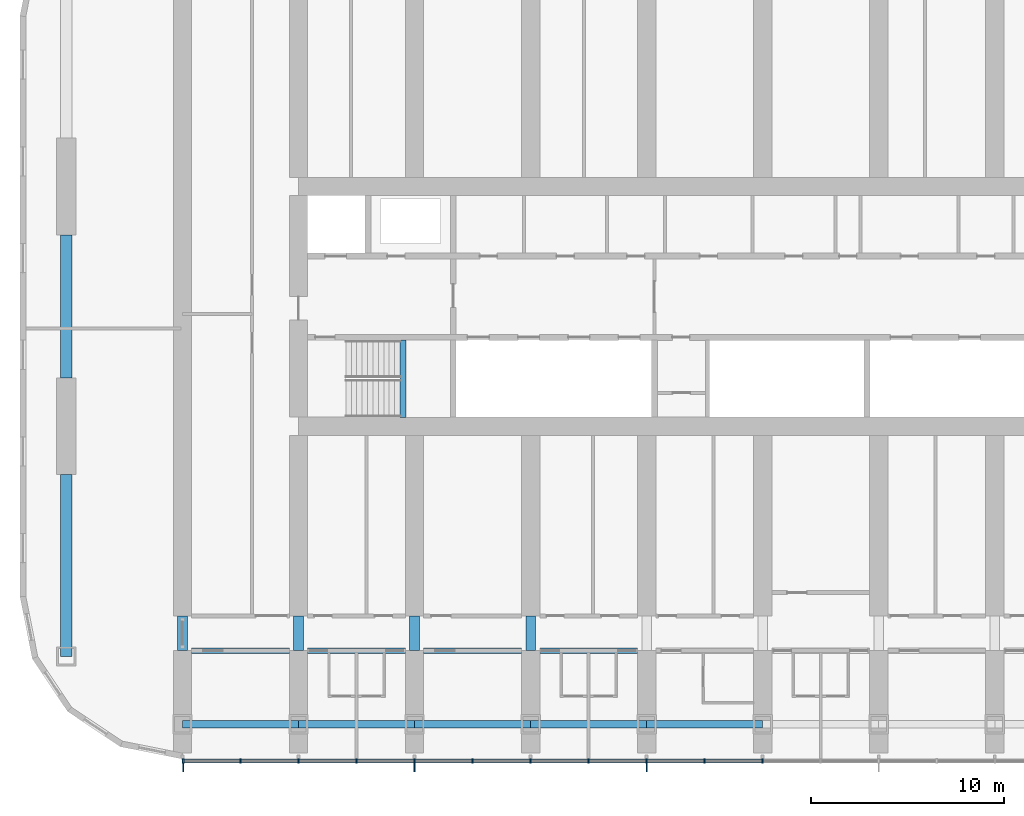
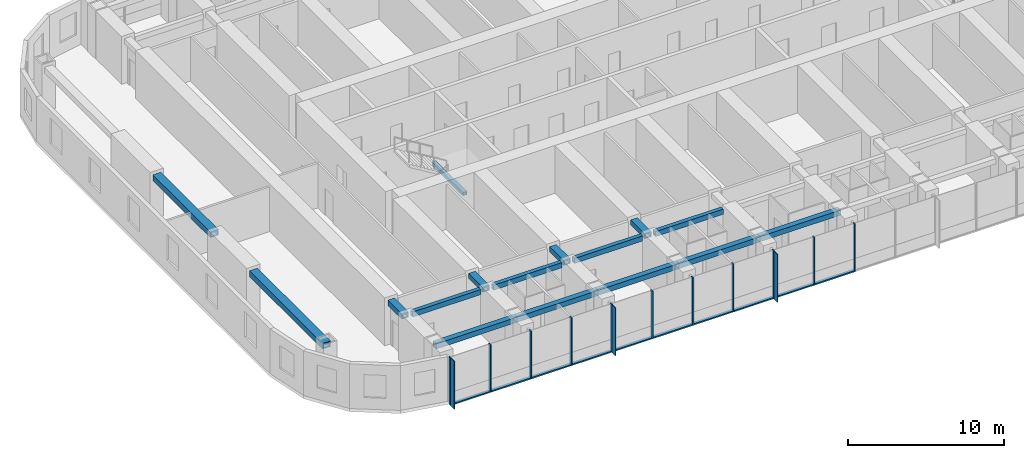
# One storey, part 2 of 21: 24 members, 16 beams, 1 element without a shape of its own.
"""IFC4 building model written with IfcOpenShell, lengths in metres."""

from ifc_helpers import new_model, si_unit, direction, frame, origin, origin_2d, place, context, subcontext, project, spatial, rectangle, hollow_rectangle, extrude, material, material_profile, profile_set, type_object, element, aggregate, save


model = new_model("IFC4")

# Units and contexts
model_context = context("Model", 3, precision=1e-05, world=origin(), true_north=direction((0.0, 1.0)))
body_context = subcontext(model_context, "Body", "Model", "MODEL_VIEW")
ifc_project = project(units=[si_unit("LENGTHUNIT", "METRE"), si_unit("AREAUNIT", "SQUARE_METRE"), si_unit("VOLUMEUNIT", "CUBIC_METRE"), si_unit("PLANEANGLEUNIT", "RADIAN"), si_unit("MASSUNIT", "GRAM", prefix="KILO")], contexts=[model_context])

# Site, building, storey
site_placement = place(None, origin())
site = spatial("IfcSite", under=ifc_project, at=site_placement, CompositionType="ELEMENT")
building_placement = place(site_placement, origin())
building = spatial("IfcBuilding", under=site, at=building_placement, Name="Orbita Commons", CompositionType="ELEMENT")
storey_placement = place(building_placement, frame((0.0, 0.0, 91.89990234375)))
storey = spatial("IfcBuildingStorey", under=building, at=storey_placement, Name="L22", CompositionType="ELEMENT", Elevation=91.89990234375)

# Curtain wall, members
ifc_material_1 = material(Name="Anodised aluminium frame, pale silver", Category="aluminium")
curtain_wall_type = type_object("IfcCurtainWallType", Name="Unitised curtain wall CW-T, vision and spandrel", PredefinedType="NOTDEFINED", material=ifc_material_1)
curtain_wall_placement = place(storey_placement, origin())
curtain_wall = element("IfcCurtainWall", 1, at=curtain_wall_placement, inside=storey, type_object=curtain_wall_type, Name="Curtain wall south L22", PredefinedType="NOTDEFINED")
ifc_material_2 = material(Name="Anodised aluminium, pale silver", Category="aluminium")
ifc_material_profile_1 = material_profile(ifc_material_2, rectangle(XDim=0.080078125, YDim=0.219970703125, at=origin_2d()), Name="AL 80x220")
ifc_profile_set_1 = profile_set([ifc_material_profile_1], Name="Anodised aluminium, pale silver")
member_type_1 = type_object("IfcMemberType", Name="Curtain wall mullion 80x220", PredefinedType="MULLION", material=ifc_profile_set_1)
member_1_placement = place(storey_placement, frame((12.0400390625, 8.489990234375, -0.25), z_axis=(0.0, 0.0, 1.0), x_axis=(1.0, 0.0, 0.0)))
member_1 = element("IfcMember", 2, at=member_1_placement, type_object=member_type_1, Name="Mullion 1 CW-L22-S", PredefinedType="MULLION", context=body_context, shape_type="SweptSolid", body=[
    extrude(rectangle(XDim=0.080078125, YDim=0.219970703125, at=origin_2d()), origin(), (0.0, 0.0, 1.0), 3.75),
])
member_2_placement = place(storey_placement, frame((15.0, 8.489990234375, -0.25), z_axis=(0.0, 0.0, 1.0), x_axis=(1.0, 0.0, 0.0)))
member_2 = element("IfcMember", 3, at=member_2_placement, type_object=member_type_1, Name="Mullion 2 CW-L22-S", PredefinedType="MULLION", context=body_context, shape_type="SweptSolid", body=[
    extrude(rectangle(XDim=0.080078125, YDim=0.219970703125, at=origin_2d()), origin(), (0.0, 0.0, 1.0), 3.75),
])
member_3_placement = place(storey_placement, frame((18.0, 8.489990234375, -0.25), z_axis=(0.0, 0.0, 1.0), x_axis=(1.0, 0.0, 0.0)))
member_3 = element("IfcMember", 4, at=member_3_placement, type_object=member_type_1, Name="Mullion 3 CW-L22-S", PredefinedType="MULLION", context=body_context, shape_type="SweptSolid", body=[
    extrude(rectangle(XDim=0.080078125, YDim=0.219970703125, at=origin_2d()), origin(), (0.0, 0.0, 1.0), 3.75),
])
member_4_placement = place(storey_placement, frame((21.0, 8.489990234375, -0.25), z_axis=(0.0, 0.0, 1.0), x_axis=(1.0, 0.0, 0.0)))
member_4 = element("IfcMember", 5, at=member_4_placement, type_object=member_type_1, Name="Mullion 4 CW-L22-S", PredefinedType="MULLION", context=body_context, shape_type="SweptSolid", body=[
    extrude(rectangle(XDim=0.080078125, YDim=0.219970703125, at=origin_2d()), origin(), (0.0, 0.0, 1.0), 3.75),
])
member_5_placement = place(storey_placement, frame((24.0, 8.489990234375, -0.25), z_axis=(0.0, 0.0, 1.0), x_axis=(1.0, 0.0, 0.0)))
member_5 = element("IfcMember", 6, at=member_5_placement, type_object=member_type_1, Name="Mullion 5 CW-L22-S", PredefinedType="MULLION", context=body_context, shape_type="SweptSolid", body=[
    extrude(rectangle(XDim=0.080078125, YDim=0.219970703125, at=origin_2d()), origin(), (0.0, 0.0, 1.0), 3.75),
])
member_6_placement = place(storey_placement, frame((27.0, 8.489990234375, -0.25), z_axis=(0.0, 0.0, 1.0), x_axis=(1.0, 0.0, 0.0)))
member_6 = element("IfcMember", 7, at=member_6_placement, type_object=member_type_1, Name="Mullion 6 CW-L22-S", PredefinedType="MULLION", context=body_context, shape_type="SweptSolid", body=[
    extrude(rectangle(XDim=0.080078125, YDim=0.219970703125, at=origin_2d()), origin(), (0.0, 0.0, 1.0), 3.75),
])
member_7_placement = place(storey_placement, frame((30.0, 8.489990234375, -0.25), z_axis=(0.0, 0.0, 1.0), x_axis=(1.0, 0.0, 0.0)))
member_7 = element("IfcMember", 8, at=member_7_placement, type_object=member_type_1, Name="Mullion 7 CW-L22-S", PredefinedType="MULLION", context=body_context, shape_type="SweptSolid", body=[
    extrude(rectangle(XDim=0.080078125, YDim=0.219970703125, at=origin_2d()), origin(), (0.0, 0.0, 1.0), 3.75),
])
member_8_placement = place(storey_placement, frame((33.0, 8.489990234375, -0.25), z_axis=(0.0, 0.0, 1.0), x_axis=(1.0, 0.0, 0.0)))
member_8 = element("IfcMember", 9, at=member_8_placement, type_object=member_type_1, Name="Mullion 8 CW-L22-S", PredefinedType="MULLION", context=body_context, shape_type="SweptSolid", body=[
    extrude(rectangle(XDim=0.080078125, YDim=0.219970703125, at=origin_2d()), origin(), (0.0, 0.0, 1.0), 3.75),
])
member_9_placement = place(storey_placement, frame((36.0, 8.489990234375, -0.25), z_axis=(0.0, 0.0, 1.0), x_axis=(1.0, 0.0, 0.0)))
member_9 = element("IfcMember", 10, at=member_9_placement, type_object=member_type_1, Name="Mullion 9 CW-L22-S", PredefinedType="MULLION", context=body_context, shape_type="SweptSolid", body=[
    extrude(rectangle(XDim=0.080078125, YDim=0.219970703125, at=origin_2d()), origin(), (0.0, 0.0, 1.0), 3.75),
])
member_10_placement = place(storey_placement, frame((39.0, 8.489990234375, -0.25), z_axis=(0.0, 0.0, 1.0), x_axis=(1.0, 0.0, 0.0)))
member_10 = element("IfcMember", 11, at=member_10_placement, type_object=member_type_1, Name="Mullion 10 CW-L22-S", PredefinedType="MULLION", context=body_context, shape_type="SweptSolid", body=[
    extrude(rectangle(XDim=0.080078125, YDim=0.219970703125, at=origin_2d()), origin(), (0.0, 0.0, 1.0), 3.75),
])
member_11_placement = place(storey_placement, frame((42.0, 8.489990234375, -0.25), z_axis=(0.0, 0.0, 1.0), x_axis=(1.0, 0.0, 0.0)))
member_11 = element("IfcMember", 12, at=member_11_placement, type_object=member_type_1, Name="Mullion 11 CW-L22-S", PredefinedType="MULLION", context=body_context, shape_type="SweptSolid", body=[
    extrude(rectangle(XDim=0.080078125, YDim=0.219970703125, at=origin_2d()), origin(), (0.0, 0.0, 1.0), 3.75),
])
ifc_material_3 = material(Name="Anodised aluminium, pale silver", Category="aluminium")
ifc_material_profile_2 = material_profile(ifc_material_3, rectangle(XDim=0.219970703125, YDim=0.10009765625, at=origin_2d()), Name="AL 220x100")
ifc_profile_set_2 = profile_set([ifc_material_profile_2], Name="Anodised aluminium, pale silver")
member_type_2 = type_object("IfcMemberType", Name="Curtain wall stack transom 220x100", PredefinedType="USERDEFINED", material=ifc_profile_set_2)
member_12_placement = place(storey_placement, frame((12.080078125, 8.489990234375, -0.199951171875), z_axis=(1.0, 0.0, 0.0), x_axis=(0.0, 1.0, 0.0)))
member_12 = element("IfcMember", 13, at=member_12_placement, type_object=member_type_2, Name="Transom 1.1 CW-L22-S", ObjectType="TRANSOM", PredefinedType="USERDEFINED", context=body_context, shape_type="SweptSolid", body=[
    extrude(rectangle(XDim=0.219970703125, YDim=0.10009765625, at=origin_2d()), origin(), (0.0, 0.0, 1.0), 2.8798828125),
])
member_13_placement = place(storey_placement, frame((15.0400390625, 8.489990234375, -0.199951171875), z_axis=(1.0, 0.0, 0.0), x_axis=(0.0, 1.0, 0.0)))
member_13 = element("IfcMember", 14, at=member_13_placement, type_object=member_type_2, Name="Transom 2.1 CW-L22-S", ObjectType="TRANSOM", PredefinedType="USERDEFINED", context=body_context, shape_type="SweptSolid", body=[
    extrude(rectangle(XDim=0.219970703125, YDim=0.10009765625, at=origin_2d()), origin(), (0.0, 0.0, 1.0), 2.919921875),
])
member_14_placement = place(storey_placement, frame((18.0400390625, 8.489990234375, -0.199951171875), z_axis=(1.0, 0.0, 0.0), x_axis=(0.0, 1.0, 0.0)))
member_14 = element("IfcMember", 15, at=member_14_placement, type_object=member_type_2, Name="Transom 3.1 CW-L22-S", ObjectType="TRANSOM", PredefinedType="USERDEFINED", context=body_context, shape_type="SweptSolid", body=[
    extrude(rectangle(XDim=0.219970703125, YDim=0.10009765625, at=origin_2d()), origin(), (0.0, 0.0, 1.0), 2.919921875),
])
member_15_placement = place(storey_placement, frame((21.0400390625, 8.489990234375, -0.199951171875), z_axis=(1.0, 0.0, 0.0), x_axis=(0.0, 1.0, 0.0)))
member_15 = element("IfcMember", 16, at=member_15_placement, type_object=member_type_2, Name="Transom 4.1 CW-L22-S", ObjectType="TRANSOM", PredefinedType="USERDEFINED", context=body_context, shape_type="SweptSolid", body=[
    extrude(rectangle(XDim=0.219970703125, YDim=0.10009765625, at=origin_2d()), origin(), (0.0, 0.0, 1.0), 2.919921875),
])
member_16_placement = place(storey_placement, frame((24.0400390625, 8.489990234375, -0.199951171875), z_axis=(1.0, 0.0, 0.0), x_axis=(0.0, 1.0, 0.0)))
member_16 = element("IfcMember", 17, at=member_16_placement, type_object=member_type_2, Name="Transom 5.1 CW-L22-S", ObjectType="TRANSOM", PredefinedType="USERDEFINED", context=body_context, shape_type="SweptSolid", body=[
    extrude(rectangle(XDim=0.219970703125, YDim=0.10009765625, at=origin_2d()), origin(), (0.0, 0.0, 1.0), 2.919921875),
])
member_17_placement = place(storey_placement, frame((27.0400390625, 8.489990234375, -0.199951171875), z_axis=(1.0, 0.0, 0.0), x_axis=(0.0, 1.0, 0.0)))
member_17 = element("IfcMember", 18, at=member_17_placement, type_object=member_type_2, Name="Transom 6.1 CW-L22-S", ObjectType="TRANSOM", PredefinedType="USERDEFINED", context=body_context, shape_type="SweptSolid", body=[
    extrude(rectangle(XDim=0.219970703125, YDim=0.10009765625, at=origin_2d()), origin(), (0.0, 0.0, 1.0), 2.919921875),
])
member_18_placement = place(storey_placement, frame((30.0400390625, 8.489990234375, -0.199951171875), z_axis=(1.0, 0.0, 0.0), x_axis=(0.0, 1.0, 0.0)))
member_18 = element("IfcMember", 19, at=member_18_placement, type_object=member_type_2, Name="Transom 7.1 CW-L22-S", ObjectType="TRANSOM", PredefinedType="USERDEFINED", context=body_context, shape_type="SweptSolid", body=[
    extrude(rectangle(XDim=0.219970703125, YDim=0.10009765625, at=origin_2d()), origin(), (0.0, 0.0, 1.0), 2.919921875),
])
member_19_placement = place(storey_placement, frame((33.0400390625, 8.489990234375, -0.199951171875), z_axis=(1.0, 0.0, 0.0), x_axis=(0.0, 1.0, 0.0)))
member_19 = element("IfcMember", 20, at=member_19_placement, type_object=member_type_2, Name="Transom 8.1 CW-L22-S", ObjectType="TRANSOM", PredefinedType="USERDEFINED", context=body_context, shape_type="SweptSolid", body=[
    extrude(rectangle(XDim=0.219970703125, YDim=0.10009765625, at=origin_2d()), origin(), (0.0, 0.0, 1.0), 2.919921875),
])
member_20_placement = place(storey_placement, frame((36.0400390625, 8.489990234375, -0.199951171875), z_axis=(1.0, 0.0, 0.0), x_axis=(0.0, 1.0, 0.0)))
member_20 = element("IfcMember", 21, at=member_20_placement, type_object=member_type_2, Name="Transom 9.1 CW-L22-S", ObjectType="TRANSOM", PredefinedType="USERDEFINED", context=body_context, shape_type="SweptSolid", body=[
    extrude(rectangle(XDim=0.219970703125, YDim=0.10009765625, at=origin_2d()), origin(), (0.0, 0.0, 1.0), 2.919921875),
])
member_21_placement = place(storey_placement, frame((39.0400390625, 8.489990234375, -0.199951171875), z_axis=(1.0, 0.0, 0.0), x_axis=(0.0, 1.0, 0.0)))
member_21 = element("IfcMember", 22, at=member_21_placement, type_object=member_type_2, Name="Transom 10.1 CW-L22-S", ObjectType="TRANSOM", PredefinedType="USERDEFINED", context=body_context, shape_type="SweptSolid", body=[
    extrude(rectangle(XDim=0.219970703125, YDim=0.10009765625, at=origin_2d()), origin(), (0.0, 0.0, 1.0), 2.919921875),
])

# Beams
ifc_material_4 = material(Name="Steel ASTM A572 Gr 50 welded plate", Category="steel")
ifc_material_profile_3 = material_profile(ifc_material_4, hollow_rectangle(XDim=0.300048828125, YDim=0.25, WallThickness=0.02490234375, at=origin_2d()), Name="BOX 250x300x25")
ifc_profile_set_3 = profile_set([ifc_material_profile_3], Name="Steel ASTM A572 Gr 50 welded plate")
beam_type_1 = type_object("IfcBeamType", Name="Stair landing beam steel BOX 250x300x25", PredefinedType="BEAM", material=ifc_profile_set_3)
beam_1_placement = place(storey_placement, frame((23.39990234375, 26.260009765625, 1.550048828125), z_axis=(0.0, 1.0, 0.0), x_axis=(-1.0, 0.0, 0.0)))
element("IfcBeam", 23, at=beam_1_placement, inside=storey, type_object=beam_type_1, Name="Stair S1 landing beam L22 1", PredefinedType="BEAM", context=body_context, shape_type="SweptSolid", body=[
    extrude(hollow_rectangle(XDim=0.300048828125, YDim=0.25, WallThickness=0.02490234375, at=origin_2d()), origin(), (0.0, 0.0, 1.0), 4.0048828125),
])
ifc_material_5 = material(Name="Steel ASTM A572 Gr 50 welded plate", Category="steel")
ifc_material_profile_4 = material_profile(ifc_material_5, hollow_rectangle(XDim=0.300048828125, YDim=0.39990234375, WallThickness=0.0400390625, at=origin_2d()), Name="BOX 400x300x40")
ifc_profile_set_4 = profile_set([ifc_material_profile_4], Name="Steel ASTM A572 Gr 50 welded plate")
beam_type_2 = type_object("IfcBeamType", Name="Steel corridor link BOX 400x300x40", PredefinedType="BEAM", material=ifc_profile_set_4)
for number, where, z_axis, x_axis, name in (
    (24, (12.47509765625, 14.199951171875, 3.300048828125), (1.0, 0.0, 0.0), (0.0, 1.0, 0.0), "Corridor beam SA 3-4 L22"),
    (25, (18.47509765625, 14.199951171875, 3.300048828125), (1.0, 0.0, 0.0), (0.0, 1.0, 0.0), "Corridor beam SA 4-5 L22"),
    (26, (24.47509765625, 14.199951171875, 3.300048828125), (1.0, 0.0, 0.0), (0.0, 1.0, 0.0), "Corridor beam SA 5-6 L22"),
    (27, (30.47509765625, 14.199951171875, 3.300048828125), (1.0, 0.0, 0.0), (0.0, 1.0, 0.0), "Corridor beam SA 6-7 L22"),
):
    element("IfcBeam", number, at=place(storey_placement, frame(where, z_axis=z_axis, x_axis=x_axis)), inside=storey, type_object=beam_type_2, Name=name, PredefinedType="BEAM", context=body_context, shape_type="SweptSolid", body=[
        extrude(hollow_rectangle(XDim=0.300048828125, YDim=0.39990234375, WallThickness=0.0400390625, at=origin_2d()), origin(), (0.0, 0.0, 1.0), 5.0498046875),
    ])
ifc_material_6 = material(Name="Steel ASTM A572 Gr 50 welded plate", Category="steel")
ifc_material_profile_5 = material_profile(ifc_material_6, hollow_rectangle(XDim=0.5, YDim=0.39990234375, WallThickness=0.050048828125, at=origin_2d()), Name="BOX 400x500x50")
ifc_profile_set_5 = profile_set([ifc_material_profile_5], Name="Steel ASTM A572 Gr 50 welded plate")
beam_type_3 = type_object("IfcBeamType", Name="Steel coupling link BOX 400x500x50", PredefinedType="LINTEL", material=ifc_profile_set_5)
for number, where, z_axis, x_axis, name in (
    (28, (12.0, 14.199951171875, 3.300048828125), (0.0, 1.0, 0.0), (-1.0, 0.0, 0.0), "Coupling beam 3 south L22"),
    (29, (18.0, 14.199951171875, 3.300048828125), (0.0, 1.0, 0.0), (-1.0, 0.0, 0.0), "Coupling beam 4 south L22"),
    (30, (24.0, 14.199951171875, 3.300048828125), (0.0, 1.0, 0.0), (-1.0, 0.0, 0.0), "Coupling beam 5 south L22"),
    (31, (30.0, 14.199951171875, 3.300048828125), (0.0, 1.0, 0.0), (-1.0, 0.0, 0.0), "Coupling beam 6 south L22"),
):
    element("IfcBeam", number, at=place(storey_placement, frame(where, z_axis=z_axis, x_axis=x_axis)), inside=storey, type_object=beam_type_3, Name=name, PredefinedType="LINTEL", context=body_context, shape_type="SweptSolid", body=[
        extrude(hollow_rectangle(XDim=0.5, YDim=0.39990234375, WallThickness=0.050048828125, at=origin_2d()), origin(), (0.0, 0.0, 1.0), 1.800048828125),
    ])
ifc_material_7 = material(Name="Steel ASTM A572 Gr 50 welded plate", Category="steel")
ifc_material_profile_6 = material_profile(ifc_material_7, hollow_rectangle(XDim=0.60009765625, YDim=0.449951171875, WallThickness=0.06005859375, at=origin_2d()), Name="BOX 450x600x60")
ifc_profile_set_6 = profile_set([ifc_material_profile_6], Name="Steel ASTM A572 Gr 50 welded plate")
beam_type_4 = type_object("IfcBeamType", Name="Steel end frame link BOX 450x600x60", PredefinedType="BEAM", material=ifc_profile_set_6)
beam_2_placement = place(storey_placement, frame((6.0, 13.89990234375, 3.275146484375), z_axis=(0.0, 1.0, 0.0), x_axis=(-1.0, 0.0, 0.0)))
element("IfcBeam", 32, at=beam_2_placement, inside=storey, type_object=beam_type_4, Name="End frame beam 2 B-C L22", PredefinedType="BEAM", context=body_context, shape_type="SweptSolid", body=[
    extrude(hollow_rectangle(XDim=0.60009765625, YDim=0.449951171875, WallThickness=0.06005859375, at=origin_2d()), origin(), (0.0, 0.0, 1.0), 9.400146484375),
])
beam_3_placement = place(storey_placement, frame((6.0, 28.300048828125, 3.275146484375), z_axis=(0.0, 1.0, 0.0), x_axis=(-1.0, 0.0, 0.0)))
element("IfcBeam", 33, at=beam_3_placement, inside=storey, type_object=beam_type_4, Name="End frame beam 2 C-D L22", PredefinedType="BEAM", context=body_context, shape_type="SweptSolid", body=[
    extrude(hollow_rectangle(XDim=0.60009765625, YDim=0.449951171875, WallThickness=0.06005859375, at=origin_2d()), origin(), (0.0, 0.0, 1.0), 7.39990234375),
])
ifc_material_8 = material(Name="Steel ASTM A572 Gr 50 welded plate", Category="steel")
ifc_material_profile_7 = material_profile(ifc_material_8, hollow_rectangle(XDim=0.39990234375, YDim=0.39990234375, WallThickness=0.0400390625, at=origin_2d()), Name="BOX 400x400x40")
ifc_profile_set_7 = profile_set([ifc_material_profile_7], Name="Steel ASTM A572 Gr 50 welded plate")
beam_type_5 = type_object("IfcBeamType", Name="Steel spandrel BOX 400x400x40", PredefinedType="SPANDREL", material=ifc_profile_set_7)
for number, where, z_axis, x_axis, name in (
    (34, (12.0, 10.39990234375, 3.300048828125), (1.0, 0.0, 0.0), (0.0, 1.0, 0.0), "Spandrel beam B 3-4 L22"),
    (35, (18.0, 10.39990234375, 3.300048828125), (1.0, 0.0, 0.0), (0.0, 1.0, 0.0), "Spandrel beam B 4-5 L22"),
    (36, (24.0, 10.39990234375, 3.300048828125), (1.0, 0.0, 0.0), (0.0, 1.0, 0.0), "Spandrel beam B 5-6 L22"),
    (37, (30.0, 10.39990234375, 3.300048828125), (1.0, 0.0, 0.0), (0.0, 1.0, 0.0), "Spandrel beam B 6-7 L22"),
    (38, (36.0, 10.39990234375, 3.300048828125), (1.0, 0.0, 0.0), (0.0, 1.0, 0.0), "Spandrel beam B 7-8 L22"),
):
    element("IfcBeam", number, at=place(storey_placement, frame(where, z_axis=z_axis, x_axis=x_axis)), inside=storey, type_object=beam_type_5, Name=name, PredefinedType="SPANDREL", context=body_context, shape_type="SweptSolid", body=[
        extrude(hollow_rectangle(XDim=0.39990234375, YDim=0.39990234375, WallThickness=0.0400390625, at=origin_2d()), origin(), (0.0, 0.0, 1.0), 6.0),
    ])

# Member
ifc_material_9 = material(Name="Anodised aluminium, pale silver", Category="aluminium")
ifc_material_profile_8 = material_profile(ifc_material_9, rectangle(XDim=0.06005859375, YDim=0.449951171875, at=origin_2d()), Name="FIN 60x450")
ifc_profile_set_8 = profile_set([ifc_material_profile_8], Name="Anodised aluminium, pale silver")
member_type_3 = type_object("IfcMemberType", Name="Vertical fin 60x450 pale aluminium", PredefinedType="USERDEFINED", material=ifc_profile_set_8)
member_22_placement = place(storey_placement, frame((12.0400390625, 8.155029296875, -0.25), z_axis=(0.0, 0.0, 1.0), x_axis=(1.0, 0.0, 0.0)))
member_22 = element("IfcMember", 39, at=member_22_placement, type_object=member_type_3, Name="Fin 1 CW-L22-S", ObjectType="FIN", PredefinedType="USERDEFINED", context=body_context, shape_type="SweptSolid", body=[
    extrude(rectangle(XDim=0.06005859375, YDim=0.449951171875, at=origin_2d()), origin(), (0.0, 0.0, 1.0), 3.75),
])

member_23_placement = place(storey_placement, frame((24.0, 8.155029296875, -0.25), z_axis=(0.0, 0.0, 1.0), x_axis=(1.0, 0.0, 0.0)))
member_23 = element("IfcMember", 40, at=member_23_placement, type_object=member_type_3, Name="Fin 5 CW-L22-S", ObjectType="FIN", PredefinedType="USERDEFINED", context=body_context, shape_type="SweptSolid", body=[
    extrude(rectangle(XDim=0.06005859375, YDim=0.449951171875, at=origin_2d()), origin(), (0.0, 0.0, 1.0), 3.75),
])

member_24_placement = place(storey_placement, frame((36.0, 8.155029296875, -0.25), z_axis=(0.0, 0.0, 1.0), x_axis=(1.0, 0.0, 0.0)))
member_24 = element("IfcMember", 41, at=member_24_placement, type_object=member_type_3, Name="Fin 9 CW-L22-S", ObjectType="FIN", PredefinedType="USERDEFINED", context=body_context, shape_type="SweptSolid", body=[
    extrude(rectangle(XDim=0.06005859375, YDim=0.449951171875, at=origin_2d()), origin(), (0.0, 0.0, 1.0), 3.75),
])

aggregate(curtain_wall, [member_1, member_22, member_2, member_3, member_4, member_5, member_23, member_6, member_7, member_8, member_9, member_24, member_10, member_11, member_12, member_13, member_14, member_15, member_16, member_17, member_18, member_19, member_20, member_21])

save(model, "model.ifc")
